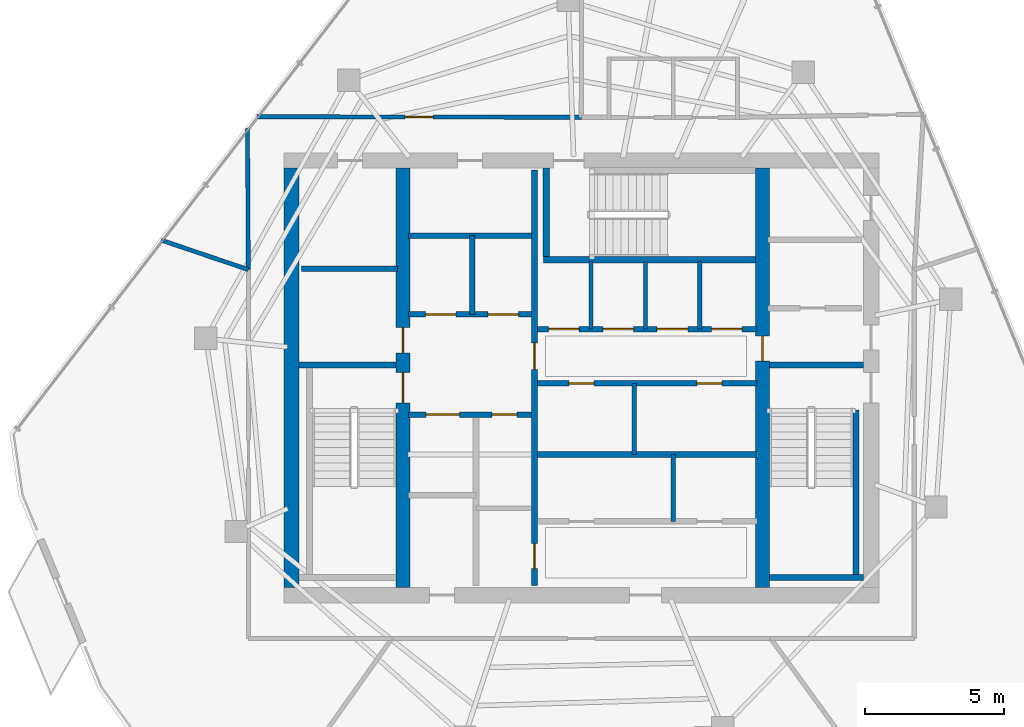
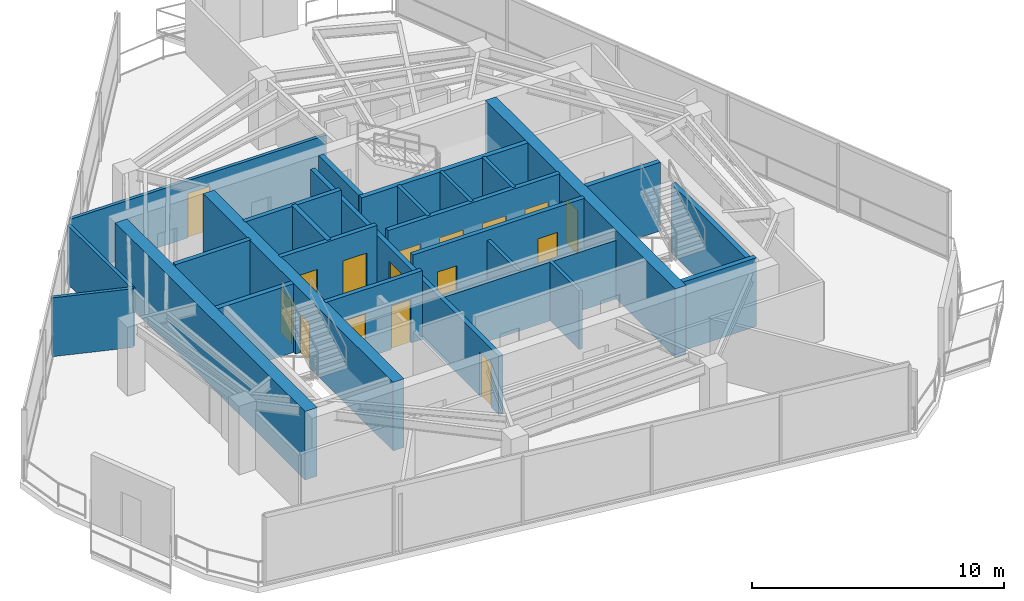
# One storey, part 15 of 19: 26 walls, 16 doors, 16 openings.
"""IFC4 building model written with IfcOpenShell, lengths in metres."""

import ifcopenshell
import ifcopenshell.guid

model = None  # the IFC model being written
_history = None  # IfcOwnerHistory: only IFC2X3 demands one
_inside = {}  # id of a spatial element -> (the spatial element, [elements in it])
_under = {}  # id of a project, library or spatial element -> (it, [spatial elements below it])
_declared = {}  # id of a project -> (the project, [libraries it declares])
_typed = {}  # id of a type object -> (the type object, [elements of that type])
_made_of = {}  # id of a material, layer set ... -> (it, [elements and type objects made of it])


def new_model(schema):
    """Start an empty IFC model of exactly this schema.

    Asked for "IFC4X3", IfcOpenShell would pick the latest addendum, in which some entities
    have other attributes; the version numbers below select the first issue.
    IFC2X3 requires an IfcOwnerHistory on every rooted entity: one is made here for all.
    """
    global model, _history
    if schema == "IFC4X3":
        model = ifcopenshell.file(schema_version=(4, 3, 0, 0))
    else:
        model = ifcopenshell.file(schema=schema)
    _inside.clear()
    _under.clear()
    _declared.clear()
    _typed.clear()
    _made_of.clear()
    _history = None
    if model.schema == "IFC2X3":
        org = make("IfcOrganization", Name="unknown")
        user = make(
            "IfcPersonAndOrganization",
            ThePerson=make("IfcPerson", FamilyName="unknown"),
            TheOrganization=org,
        )
        app = make(
            "IfcApplication",
            ApplicationDeveloper=org,
            Version="unknown",
            ApplicationFullName="unknown",
            ApplicationIdentifier="unknown",
        )
        _history = make(
            "IfcOwnerHistory",
            OwningUser=user,
            OwningApplication=app,
            ChangeAction="ADDED",
            CreationDate=0,
        )
    return model


def make(cls, **values):
    """One entity of the class cls with the attributes given. An attribute that is None is left unset."""
    return model.create_entity(
        cls, **{name: value for name, value in values.items() if value is not None}
    )


def rooted(cls, **values):
    """An entity with a GlobalId (a new one), such as an element, a storey or a relation."""
    return make(cls, GlobalId=ifcopenshell.guid.new(), OwnerHistory=_history, **values)


def si_unit(unit_type, name, prefix=None):
    """IfcSIUnit, for example si_unit("LENGTHUNIT", "METRE", prefix="MILLI")."""
    return make("IfcSIUnit", UnitType=unit_type, Prefix=prefix, Name=name)


def assignment(units):
    """IfcUnitAssignment: the units of a project."""
    return None if units is None else make("IfcUnitAssignment", Units=units)


def point(xyz):
    """IfcCartesianPoint."""
    return None if xyz is None else make("IfcCartesianPoint", Coordinates=xyz)


def direction(xyz):
    """IfcDirection."""
    return None if xyz is None else make("IfcDirection", DirectionRatios=xyz)


def frame(location, z_axis=None, x_axis=None):
    """IfcAxis2Placement3D, a coordinate frame: its origin and axes. An axis left out is left unset."""
    return make(
        "IfcAxis2Placement3D",
        Location=point(location),
        Axis=direction(z_axis),
        RefDirection=direction(x_axis),
    )


def frame_2d(location, x_axis=None):
    """IfcAxis2Placement2D, a coordinate frame in the plane: its origin and x axis."""
    return make(
        "IfcAxis2Placement2D", Location=point(location), RefDirection=direction(x_axis)
    )


def origin():
    """The frame at (0, 0, 0) with its axes left unset."""
    return frame((0.0, 0.0, 0.0))


def place(relative_to, where):
    """IfcLocalPlacement: puts the frame where relative to a parent placement (None: the world)."""
    return make(
        "IfcLocalPlacement", PlacementRelTo=relative_to, RelativePlacement=where
    )


def context(
    kind, dimensions, precision=None, world=None, true_north=None, identifier=None
):
    """IfcGeometricRepresentationContext, for example the 3D "Model" context."""
    return make(
        "IfcGeometricRepresentationContext",
        ContextIdentifier=identifier,
        ContextType=kind,
        CoordinateSpaceDimension=dimensions,
        Precision=precision,
        WorldCoordinateSystem=world,
        TrueNorth=true_north,
    )


def subcontext(parent, identifier, kind, view, scale=None):
    """IfcGeometricRepresentationSubContext, for example "Body" below "Model"."""
    return make(
        "IfcGeometricRepresentationSubContext",
        ContextIdentifier=identifier,
        ContextType=kind,
        ParentContext=parent,
        TargetScale=scale,
        TargetView=view,
    )


def project(units=None, contexts=None):
    """IfcProject with its units and contexts."""
    return rooted(
        "IfcProject",
        Name="project",
        RepresentationContexts=contexts,
        UnitsInContext=assignment(units),
    )


def spatial(cls, under=None, at=None, **own):
    """A site, building, storey or space (cls), placed at a placement, below another one or the project."""
    s = rooted(cls, ObjectPlacement=at, **own)
    if under is not None:
        _under.setdefault(under.id(), (under, []))[1].append(s)
    return s


def profile(cls, at=None, kind="AREA", **sizes):
    """A parametric profile (cls). Its sizes go by their IFC names, for example OverallWidth=200.0."""
    return make(cls, ProfileType=kind, Position=at, **sizes)


def rectangle(**sizes):
    """IfcRectangleProfileDef."""
    return profile("IfcRectangleProfileDef", **sizes)


def extrude(swept, where, along, depth):
    """IfcExtrudedAreaSolid: the profile swept, set in the frame where, extruded along a direction by depth."""
    return make(
        "IfcExtrudedAreaSolid",
        SweptArea=swept,
        Position=where,
        ExtrudedDirection=direction(along),
        Depth=depth,
    )


def shape(context_of_items, identifier, shape_type, items):
    """IfcShapeRepresentation: the items that make up one representation, for example the "Body"."""
    return make(
        "IfcShapeRepresentation",
        ContextOfItems=context_of_items,
        RepresentationIdentifier=identifier,
        RepresentationType=shape_type,
        Items=items,
    )


def material(Name=None, Category=None):
    """IfcMaterial."""
    return make("IfcMaterial", Name=Name, Category=Category)


def layer(
    of_material, thickness, ventilated=None, Name=None, Category=None, Priority=None
):
    """IfcMaterialLayer: one layer of a wall or slab, of a material (None: an air gap)."""
    return make(
        "IfcMaterialLayer",
        Material=of_material,
        LayerThickness=thickness,
        IsVentilated=ventilated,
        Name=Name,
        Category=Category,
        Priority=Priority,
    )


def layer_set(layers, Name=None):
    """IfcMaterialLayerSet."""
    return make("IfcMaterialLayerSet", MaterialLayers=layers, LayerSetName=Name)


def made_of(thing, what):
    """Note that an element or type object is made of a material, layer set ...; save() writes the relation."""
    if what is not None:
        _made_of.setdefault(what.id(), (what, []))[1].append(thing)
    return thing


def type_object(cls, material=None, **own):
    """A type object (cls), such as IfcWallType, which elements share."""
    return made_of(rooted(cls, **own), material)


def element(
    cls,
    number,
    at=None,
    inside=None,
    cuts=None,
    type_object=None,
    material=None,
    context=None,
    identifier="Body",
    shape_type=None,
    held_by="IfcProductDefinitionShape",
    body=None,
    shapes=None,
    **own,
):
    """One element of the class cls, such as IfcWall. Its Tag is "e" and its number.

    at: its placement. inside: the storey or other place that contains it. cuts: it is an
    opening in that element (IfcRelVoidsElement). A single representation is given by context,
    identifier, shape_type and body (its items); several are given by shapes. held_by: the class
    of the entity that holds the representations. save() writes the other relations.
    """
    e = rooted(cls, Tag="e%d" % number, ObjectPlacement=at, **own)
    if body is not None:
        shapes = [shape(context, identifier, shape_type, body)]
    if shapes is not None:
        e.Representation = make(held_by, Representations=shapes)
    if inside is not None:
        _inside.setdefault(inside.id(), (inside, []))[1].append(e)
    if cuts is not None:
        rooted(
            "IfcRelVoidsElement", RelatingBuildingElement=cuts, RelatedOpeningElement=e
        )
    if type_object is not None:
        _typed.setdefault(type_object.id(), (type_object, []))[1].append(e)
    return made_of(e, material)


def fill(opening, filler):
    """IfcRelFillsElement: the door or window that sits in an opening."""
    return rooted(
        "IfcRelFillsElement",
        RelatingOpeningElement=opening,
        RelatedBuildingElement=filler,
    )


def aggregate(whole, parts):
    """IfcRelAggregates: a whole, such as a stair, and the parts it consists of."""
    return rooted("IfcRelAggregates", RelatingObject=whole, RelatedObjects=parts)


def save(model, path):
    """Write the relations noted so far, then the file.

    IfcRelAggregates (storeys below a building ...), IfcRelContainedInSpatialStructure (elements
    in a storey), IfcRelDefinesByType, IfcRelAssociatesMaterial and IfcRelDeclares: one each for
    every whole, place, type object, material and project.
    """
    for whole, parts in _under.values():
        aggregate(whole, parts)
    for where, things in _inside.values():
        rooted(
            "IfcRelContainedInSpatialStructure",
            RelatedElements=things,
            RelatingStructure=where,
        )
    for kind, things in _typed.values():
        rooted("IfcRelDefinesByType", RelatedObjects=things, RelatingType=kind)
    for what, things in _made_of.values():
        rooted("IfcRelAssociatesMaterial", RelatedObjects=things, RelatingMaterial=what)
    for by, libraries in _declared.values():
        rooted("IfcRelDeclares", RelatingContext=by, RelatedDefinitions=libraries)
    model.write(path)


model = new_model("IFC4")

# Units and contexts
model_context = context("Model", 3, precision=1e-05, world=origin(), true_north=direction((0.0, 1.0)))
body_context = subcontext(model_context, "Body", "Model", "MODEL_VIEW")
ifc_project = project(units=[si_unit("LENGTHUNIT", "METRE"), si_unit("AREAUNIT", "SQUARE_METRE"), si_unit("VOLUMEUNIT", "CUBIC_METRE"), si_unit("PLANEANGLEUNIT", "RADIAN"), si_unit("MASSUNIT", "GRAM", prefix="KILO")], contexts=[model_context])

# Site, building, storey
site_placement = place(None, origin())
site = spatial("IfcSite", under=ifc_project, at=site_placement, CompositionType="ELEMENT")
building_placement = place(site_placement, origin())
building = spatial("IfcBuilding", under=site, at=building_placement, Name="Qarnah Convention Tower", CompositionType="ELEMENT")
storey_placement = place(building_placement, frame((0.0, 0.0, 264.300048828125)))
storey = spatial("IfcBuildingStorey", under=building, at=storey_placement, Name="L71", CompositionType="ELEMENT", Elevation=264.300048828125)

# Wall
ifc_material_1 = material(Name="Concrete C60/75", Category="concrete")
ifc_layer_1 = layer(ifc_material_1, 0.550048828125)
ifc_layer_set_1 = layer_set([ifc_layer_1], Name="Concrete C60/75")
wall_type_1 = type_object("IfcWallType", Name="WL-CORE-550", PredefinedType="SHEAR", material=ifc_layer_set_1)
wall_1_placement = place(storey_placement, frame((26.800048828125, 18.875, 0.0), z_axis=(0.0, 0.0, 1.0), x_axis=(0.0, 1.0, 0.0)))
element("IfcWall", 1, at=wall_1_placement, inside=storey, type_object=wall_type_1, Name="L71 core west shear wall", PredefinedType="SHEAR", context=body_context, shape_type="SweptSolid", body=[
    extrude(rectangle(XDim=15.050048828125, YDim=0.550048828125, at=frame_2d((7.52490234375, 0.0))), origin(), (0.0, 0.0, 1.0), 3.320068359375),
])

# Wall, openings, doors
ifc_layer_2 = layer(ifc_material_1, 0.5)
ifc_layer_set_2 = layer_set([ifc_layer_2], Name="Concrete C60/75")
wall_type_2 = type_object("IfcWallType", Name="WL-CORE-INT-400", PredefinedType="SHEAR", material=ifc_layer_set_2)
wall_2_placement = place(storey_placement, frame((30.800048828125, 18.875, 0.0), z_axis=(0.0, 0.0, 1.0), x_axis=(0.0, 1.0, 0.0)))
wall_2 = element("IfcWall", 2, at=wall_2_placement, inside=storey, type_object=wall_type_2, Name="L71 core west spine shear wall", PredefinedType="SHEAR", context=body_context, shape_type="SweptSolid", body=[
    extrude(rectangle(XDim=15.050048828125, YDim=0.5, at=frame_2d((7.52490234375, 0.0))), origin(), (0.0, 0.0, 1.0), 3.320068359375),
])
opening_1_placement = place(wall_2_placement, frame((6.625, 0.0, 0.0)))
opening_1 = element("IfcOpeningElement", 3, at=opening_1_placement, cuts=wall_2, Name="Opening D-7101", PredefinedType="OPENING", context=body_context, shape_type="SweptSolid", body=[
    extrude(rectangle(XDim=1.10009765625, YDim=2.14990234375, at=frame_2d((0.550048828125, 1.074951171875))), frame((0.0, 0.260009765625, 0.0), z_axis=(0.0, -1.0, 0.0), x_axis=(1.0, 0.0, 0.0)), (0.0, 0.0, 1.0), 0.52001953125),
])
opening_2_placement = place(wall_2_placement, frame((8.425048828125, 0.0, 0.0)))
opening_2 = element("IfcOpeningElement", 4, at=opening_2_placement, cuts=wall_2, Name="Opening D-7108", PredefinedType="OPENING", context=body_context, shape_type="SweptSolid", body=[
    extrude(rectangle(XDim=0.89990234375, YDim=2.10009765625, at=frame_2d((0.449951171875, 1.050048828125))), frame((0.0, 0.260009765625, 0.0), z_axis=(0.0, -1.0, 0.0), x_axis=(1.0, 0.0, 0.0)), (0.0, 0.0, 1.0), 0.52001953125),
])
ifc_material_2 = material(Name="Structural steel S355JR", Category="steel")
door_type_1 = type_object("IfcDoorType", Name="DT-RISER-900", OperationType="NOTDEFINED", PredefinedType="DOOR", material=ifc_material_2)
door_1_placement = place(opening_2_placement, origin())
door_1 = element("IfcDoor", 5, at=door_1_placement, inside=storey, type_object=door_type_1, Name="Door D-7108", OperationType="SINGLE_SWING_RIGHT", OverallHeight=2.10009765625, OverallWidth=0.89990234375, PredefinedType="DOOR", context=body_context, shape_type="SweptSolid", body=[
    extrude(rectangle(XDim=0.89990234375, YDim=2.10009765625, at=frame_2d((0.449951171875, 1.050048828125))), frame((0.0, 0.02490234375, 0.0), z_axis=(0.0, -1.0, 0.0), x_axis=(1.0, 0.0, 0.0)), (0.0, 0.0, 1.0), 0.050048828125),
])
fill(opening_2, door_1)
door_type_2 = type_object("IfcDoorType", Name="DT-STAIR-1100", OperationType="NOTDEFINED", PredefinedType="DOOR", material=ifc_material_2)
door_2_placement = place(opening_1_placement, origin())
door_2 = element("IfcDoor", 6, at=door_2_placement, inside=storey, type_object=door_type_2, Name="Door D-7101", OperationType="SINGLE_SWING_LEFT", OverallHeight=2.14990234375, OverallWidth=1.10009765625, PredefinedType="DOOR", context=body_context, shape_type="SweptSolid", body=[
    extrude(rectangle(XDim=1.10009765625, YDim=2.14990234375, at=frame_2d((0.550048828125, 1.074951171875))), frame((0.0, 0.02490234375, 0.0), z_axis=(0.0, -1.0, 0.0), x_axis=(1.0, 0.0, 0.0)), (0.0, 0.0, 1.0), 0.050048828125),
])
fill(opening_1, door_2)

# Wall, opening, door
wall_3_placement = place(storey_placement, frame((43.699951171875, 18.875, 0.0), z_axis=(0.0, 0.0, 1.0), x_axis=(0.0, 1.0, 0.0)))
wall_3 = element("IfcWall", 7, at=wall_3_placement, inside=storey, type_object=wall_type_2, Name="L71 core east spine shear wall", PredefinedType="SHEAR", context=body_context, shape_type="SweptSolid", body=[
    extrude(rectangle(XDim=15.050048828125, YDim=0.5, at=frame_2d((7.52490234375, 0.0))), origin(), (0.0, 0.0, 1.0), 3.320068359375),
])
opening_3_placement = place(wall_3_placement, frame((8.125, 0.0, 0.0)))
opening_3 = element("IfcOpeningElement", 8, at=opening_3_placement, cuts=wall_3, Name="Opening D-7105", PredefinedType="OPENING", context=body_context, shape_type="SweptSolid", body=[
    extrude(rectangle(XDim=0.89990234375, YDim=2.10009765625, at=frame_2d((0.449951171875, 1.050048828125))), frame((0.0, 0.260009765625, 0.0), z_axis=(0.0, -1.0, 0.0), x_axis=(1.0, 0.0, 0.0)), (0.0, 0.0, 1.0), 0.52001953125),
])
door_3_placement = place(opening_3_placement, origin())
door_3 = element("IfcDoor", 9, at=door_3_placement, inside=storey, type_object=door_type_1, Name="Door D-7105", OperationType="SINGLE_SWING_LEFT", OverallHeight=2.10009765625, OverallWidth=0.89990234375, PredefinedType="DOOR", context=body_context, shape_type="SweptSolid", body=[
    extrude(rectangle(XDim=0.89990234375, YDim=2.10009765625, at=frame_2d((0.449951171875, 1.050048828125))), frame((0.0, 0.02490234375, 0.0), z_axis=(0.0, -1.0, 0.0), x_axis=(1.0, 0.0, 0.0)), (0.0, 0.0, 1.0), 0.050048828125),
])
fill(opening_3, door_3)

# Wall
ifc_material_3 = material(Name="Concrete C45/55", Category="concrete")
ifc_layer_3 = layer(ifc_material_3, 0.199951171875)
ifc_layer_set_3 = layer_set([ifc_layer_3], Name="Concrete C45/55")
wall_type_3 = type_object("IfcWallType", Name="WL-CORE-PART-200", PredefinedType="SOLIDWALL", material=ifc_layer_set_3)
wall_4_placement = place(storey_placement, frame((27.14990234375, 30.320068359375, 0.0), z_axis=(0.0, 0.0, 1.0), x_axis=(1.0, 0.0, 0.0)))
element("IfcWall", 10, at=wall_4_placement, inside=storey, type_object=wall_type_3, Name="L71 interior wall IW-L71-ELRN", PredefinedType="SOLIDWALL", context=body_context, shape_type="SweptSolid", body=[
    extrude(rectangle(XDim=3.4501953125, YDim=0.199951171875, at=frame_2d((1.72509765625, 0.0))), origin(), (0.0, 0.0, 1.0), 3.320068359375),
])

# Wall, openings, doors
wall_5_placement = place(storey_placement, frame((35.52001953125, 18.949951171875, 0.0), z_axis=(0.0, 0.0, 1.0), x_axis=(0.0, 1.0, 0.0)))
wall_5 = element("IfcWall", 11, at=wall_5_placement, inside=storey, type_object=wall_type_3, Name="L71 interior wall IW-L71-CSP", PredefinedType="SOLIDWALL", context=body_context, shape_type="SweptSolid", body=[
    extrude(rectangle(XDim=14.900146484375, YDim=0.199951171875, at=frame_2d((7.4501953125, 0.0))), origin(), (0.0, 0.0, 1.0), 2.841064453125),
])
opening_4_placement = place(wall_5_placement, frame((7.7548828125, 0.0, 0.0)))
opening_4 = element("IfcOpeningElement", 12, at=opening_4_placement, cuts=wall_5, Name="Opening D-7104", PredefinedType="OPENING", context=body_context, shape_type="SweptSolid", body=[
    extrude(rectangle(XDim=0.949951171875, YDim=2.14990234375, at=frame_2d((0.47509765625, 1.074951171875))), frame((0.0, 0.10986328125, 0.0), z_axis=(0.0, -1.0, 0.0), x_axis=(1.0, 0.0, 0.0)), (0.0, 0.0, 1.0), 0.219970703125),
])
opening_5_placement = place(wall_5_placement, frame((0.60009765625, 0.0, 0.0)))
opening_5 = element("IfcOpeningElement", 13, at=opening_5_placement, cuts=wall_5, Name="Opening D-7114", PredefinedType="OPENING", context=body_context, shape_type="SweptSolid", body=[
    extrude(rectangle(XDim=0.89990234375, YDim=2.10009765625, at=frame_2d((0.449951171875, 1.050048828125))), frame((0.0, 0.10986328125, 0.0), z_axis=(0.0, -1.0, 0.0), x_axis=(1.0, 0.0, 0.0)), (0.0, 0.0, 1.0), 0.219970703125),
])
ifc_material_4 = material(Name="Oak timber veneer", Category="wood")
door_type_3 = type_object("IfcDoorType", Name="DT-HOTEL-950", OperationType="NOTDEFINED", PredefinedType="DOOR", material=ifc_material_4)
door_4_placement = place(opening_4_placement, origin())
door_4 = element("IfcDoor", 14, at=door_4_placement, inside=storey, type_object=door_type_3, Name="Door D-7104", OperationType="SINGLE_SWING_RIGHT", OverallHeight=2.14990234375, OverallWidth=0.949951171875, PredefinedType="DOOR", context=body_context, shape_type="SweptSolid", body=[
    extrude(rectangle(XDim=0.949951171875, YDim=2.14990234375, at=frame_2d((0.47509765625, 1.074951171875))), frame((0.0, 0.02490234375, 0.0), z_axis=(0.0, -1.0, 0.0), x_axis=(1.0, 0.0, 0.0)), (0.0, 0.0, 1.0), 0.050048828125),
])
fill(opening_4, door_4)
door_5_placement = place(opening_5_placement, origin())
door_5 = element("IfcDoor", 15, at=door_5_placement, inside=storey, type_object=door_type_1, Name="Door D-7114", OperationType="SINGLE_SWING_RIGHT", OverallHeight=2.10009765625, OverallWidth=0.89990234375, PredefinedType="DOOR", context=body_context, shape_type="SweptSolid", body=[
    extrude(rectangle(XDim=0.89990234375, YDim=2.10009765625, at=frame_2d((0.449951171875, 1.050048828125))), frame((0.0, 0.02490234375, 0.0), z_axis=(0.0, -1.0, 0.0), x_axis=(1.0, 0.0, 0.0)), (0.0, 0.0, 1.0), 0.050048828125),
])
fill(opening_5, door_5)

wall_6_placement = place(storey_placement, frame((31.0, 28.679931640625, 0.0), z_axis=(0.0, 0.0, 1.0), x_axis=(1.0, 0.0, 0.0)))
wall_6 = element("IfcWall", 16, at=wall_6_placement, inside=storey, type_object=wall_type_3, Name="L71 interior wall IW-L71-FFLS", PredefinedType="SOLIDWALL", context=body_context, shape_type="SweptSolid", body=[
    extrude(rectangle(XDim=4.419921875, YDim=0.199951171875, at=frame_2d((2.2099609375, 0.0))), origin(), (0.0, 0.0, 1.0), 3.320068359375),
])
opening_6_placement = place(wall_6_placement, frame((0.60009765625, 0.0, 0.0)))
opening_6 = element("IfcOpeningElement", 17, at=opening_6_placement, cuts=wall_6, Name="Opening LD-7101", PredefinedType="OPENING", context=body_context, shape_type="SweptSolid", body=[
    extrude(rectangle(XDim=1.10009765625, YDim=2.14990234375, at=frame_2d((0.550048828125, 1.074951171875))), frame((0.0, 0.10986328125, 0.0), z_axis=(0.0, -1.0, 0.0), x_axis=(1.0, 0.0, 0.0)), (0.0, 0.0, 1.0), 0.219970703125),
])
opening_7_placement = place(wall_6_placement, frame((2.85009765625, 0.0, 0.0)))
opening_7 = element("IfcOpeningElement", 18, at=opening_7_placement, cuts=wall_6, Name="Opening LD-7102", PredefinedType="OPENING", context=body_context, shape_type="SweptSolid", body=[
    extrude(rectangle(XDim=1.10009765625, YDim=2.14990234375, at=frame_2d((0.550048828125, 1.074951171875))), frame((0.0, 0.10986328125, 0.0), z_axis=(0.0, -1.0, 0.0), x_axis=(1.0, 0.0, 0.0)), (0.0, 0.0, 1.0), 0.219970703125),
])
door_type_4 = type_object("IfcDoorType", Name="DT-LIFT-1100", OperationType="SLIDING_TO_LEFT", PredefinedType="DOOR", material=ifc_material_2)
door_6_placement = place(opening_6_placement, origin())
door_6 = element("IfcDoor", 19, at=door_6_placement, inside=storey, type_object=door_type_4, Name="Door LD-7101", OperationType="SLIDING_TO_LEFT", OverallHeight=2.14990234375, OverallWidth=1.10009765625, PredefinedType="DOOR", context=body_context, shape_type="SweptSolid", body=[
    extrude(rectangle(XDim=1.10009765625, YDim=2.14990234375, at=frame_2d((0.550048828125, 1.074951171875))), frame((0.0, 0.02490234375, 0.0), z_axis=(0.0, -1.0, 0.0), x_axis=(1.0, 0.0, 0.0)), (0.0, 0.0, 1.0), 0.050048828125),
])
fill(opening_6, door_6)
door_7_placement = place(opening_7_placement, origin())
door_7 = element("IfcDoor", 20, at=door_7_placement, inside=storey, type_object=door_type_4, Name="Door LD-7102", OperationType="SLIDING_TO_LEFT", OverallHeight=2.14990234375, OverallWidth=1.10009765625, PredefinedType="DOOR", context=body_context, shape_type="SweptSolid", body=[
    extrude(rectangle(XDim=1.10009765625, YDim=2.14990234375, at=frame_2d((0.550048828125, 1.074951171875))), frame((0.0, 0.02490234375, 0.0), z_axis=(0.0, -1.0, 0.0), x_axis=(1.0, 0.0, 0.0)), (0.0, 0.0, 1.0), 0.050048828125),
])
fill(opening_7, door_7)

# Walls
wall_7_placement = place(storey_placement, frame((31.0, 31.5, 0.0), z_axis=(0.0, 0.0, 1.0), x_axis=(1.0, 0.0, 0.0)))
element("IfcWall", 21, at=wall_7_placement, inside=storey, type_object=wall_type_3, Name="L71 interior wall IW-L71-FFLN", PredefinedType="SOLIDWALL", context=body_context, shape_type="SweptSolid", body=[
    extrude(rectangle(XDim=4.419921875, YDim=0.199951171875, at=frame_2d((2.2099609375, 0.0))), origin(), (0.0, 0.0, 1.0), 3.320068359375),
])
wall_8_placement = place(storey_placement, frame((33.280029296875, 28.679931640625, 0.0), z_axis=(0.0, 0.0, 1.0), x_axis=(0.0, 1.0, 0.0)))
element("IfcWall", 22, at=wall_8_placement, inside=storey, type_object=wall_type_3, Name="L71 interior wall IW-L71-FFLM", PredefinedType="SOLIDWALL", context=body_context, shape_type="SweptSolid", body=[
    extrude(rectangle(XDim=2.820068359375, YDim=0.199951171875, at=frame_2d((1.41015625, 0.0))), origin(), (0.0, 0.0, 1.0), 3.320068359375),
])

# Wall, openings, doors
wall_9_placement = place(storey_placement, frame((31.0, 25.080078125, 0.0), z_axis=(0.0, 0.0, 1.0), x_axis=(1.0, 0.0, 0.0)))
wall_9 = element("IfcWall", 23, at=wall_9_placement, inside=storey, type_object=wall_type_3, Name="L71 interior wall IW-L71-FFLBS", PredefinedType="SOLIDWALL", context=body_context, shape_type="SweptSolid", body=[
    extrude(rectangle(XDim=4.419921875, YDim=0.199951171875, at=frame_2d((2.2099609375, 0.0))), origin(), (0.0, 0.0, 1.0), 3.320068359375),
])
opening_8_placement = place(wall_9_placement, frame((3.0, 0.0, 0.0)))
opening_8 = element("IfcOpeningElement", 24, at=opening_8_placement, cuts=wall_9, Name="Opening D-7115", PredefinedType="OPENING", context=body_context, shape_type="SweptSolid", body=[
    extrude(rectangle(XDim=0.89990234375, YDim=2.10009765625, at=frame_2d((0.449951171875, 1.050048828125))), frame((0.0, 0.10986328125, 0.0), z_axis=(0.0, -1.0, 0.0), x_axis=(1.0, 0.0, 0.0)), (0.0, 0.0, 1.0), 0.219970703125),
])
opening_9_placement = place(wall_9_placement, frame((0.6201171875, 0.0, 0.0)))
opening_9 = element("IfcOpeningElement", 25, at=opening_9_placement, cuts=wall_9, Name="Opening LD-7103", PredefinedType="OPENING", context=body_context, shape_type="SweptSolid", body=[
    extrude(rectangle(XDim=1.199951171875, YDim=2.14990234375, at=frame_2d((0.60009765625, 1.074951171875))), frame((0.0, 0.10986328125, 0.0), z_axis=(0.0, -1.0, 0.0), x_axis=(1.0, 0.0, 0.0)), (0.0, 0.0, 1.0), 0.219970703125),
])
door_type_5 = type_object("IfcDoorType", Name="DT-LIFT-1200", OperationType="SLIDING_TO_LEFT", PredefinedType="DOOR", material=ifc_material_2)
door_8_placement = place(opening_9_placement, origin())
door_8 = element("IfcDoor", 26, at=door_8_placement, inside=storey, type_object=door_type_5, Name="Door LD-7103", OperationType="SLIDING_TO_LEFT", OverallHeight=2.14990234375, OverallWidth=1.199951171875, PredefinedType="DOOR", context=body_context, shape_type="SweptSolid", body=[
    extrude(rectangle(XDim=1.199951171875, YDim=2.14990234375, at=frame_2d((0.60009765625, 1.074951171875))), frame((0.0, 0.02490234375, 0.0), z_axis=(0.0, -1.0, 0.0), x_axis=(1.0, 0.0, 0.0)), (0.0, 0.0, 1.0), 0.050048828125),
])
fill(opening_9, door_8)
door_9_placement = place(opening_8_placement, origin())
door_9 = element("IfcDoor", 27, at=door_9_placement, inside=storey, type_object=door_type_1, Name="Door D-7115", OperationType="SINGLE_SWING_LEFT", OverallHeight=2.10009765625, OverallWidth=0.89990234375, PredefinedType="DOOR", context=body_context, shape_type="SweptSolid", body=[
    extrude(rectangle(XDim=0.89990234375, YDim=2.10009765625, at=frame_2d((0.449951171875, 1.050048828125))), frame((0.0, 0.02490234375, 0.0), z_axis=(0.0, -1.0, 0.0), x_axis=(1.0, 0.0, 0.0)), (0.0, 0.0, 1.0), 0.050048828125),
])
fill(opening_8, door_9)

wall_10_placement = place(storey_placement, frame((35.6201171875, 28.14990234375, 0.0), z_axis=(0.0, 0.0, 1.0), x_axis=(1.0, 0.0, 0.0)))
wall_10 = element("IfcWall", 28, at=wall_10_placement, inside=storey, type_object=wall_type_3, Name="L71 interior wall IW-L71-PHS", PredefinedType="SOLIDWALL", context=body_context, shape_type="SweptSolid", body=[
    extrude(rectangle(XDim=7.8798828125, YDim=0.199951171875, at=frame_2d((3.93994140625, 0.0))), origin(), (0.0, 0.0, 1.0), 3.320068359375),
])
opening_10_placement = place(wall_10_placement, frame((0.405029296875, 0.0, 0.0)))
opening_10 = element("IfcOpeningElement", 29, at=opening_10_placement, cuts=wall_10, Name="Opening LD-7104", PredefinedType="OPENING", context=body_context, shape_type="SweptSolid", body=[
    extrude(rectangle(XDim=1.10009765625, YDim=2.14990234375, at=frame_2d((0.550048828125, 1.074951171875))), frame((0.0, 0.10986328125, 0.0), z_axis=(0.0, -1.0, 0.0), x_axis=(1.0, 0.0, 0.0)), (0.0, 0.0, 1.0), 0.219970703125),
])
opening_11_placement = place(wall_10_placement, frame((2.35498046875, 0.0, 0.0)))
opening_11 = element("IfcOpeningElement", 30, at=opening_11_placement, cuts=wall_10, Name="Opening LD-7105", PredefinedType="OPENING", context=body_context, shape_type="SweptSolid", body=[
    extrude(rectangle(XDim=1.10009765625, YDim=2.14990234375, at=frame_2d((0.550048828125, 1.074951171875))), frame((0.0, 0.10986328125, 0.0), z_axis=(0.0, -1.0, 0.0), x_axis=(1.0, 0.0, 0.0)), (0.0, 0.0, 1.0), 0.219970703125),
])
opening_12_placement = place(wall_10_placement, frame((4.304931640625, 0.0, 0.0)))
opening_12 = element("IfcOpeningElement", 31, at=opening_12_placement, cuts=wall_10, Name="Opening LD-7106", PredefinedType="OPENING", context=body_context, shape_type="SweptSolid", body=[
    extrude(rectangle(XDim=1.10009765625, YDim=2.14990234375, at=frame_2d((0.550048828125, 1.074951171875))), frame((0.0, 0.10986328125, 0.0), z_axis=(0.0, -1.0, 0.0), x_axis=(1.0, 0.0, 0.0)), (0.0, 0.0, 1.0), 0.219970703125),
])
opening_13_placement = place(wall_10_placement, frame((6.2548828125, 0.0, 0.0)))
opening_13 = element("IfcOpeningElement", 32, at=opening_13_placement, cuts=wall_10, Name="Opening LD-7107", PredefinedType="OPENING", context=body_context, shape_type="SweptSolid", body=[
    extrude(rectangle(XDim=1.10009765625, YDim=2.14990234375, at=frame_2d((0.550048828125, 1.074951171875))), frame((0.0, 0.10986328125, 0.0), z_axis=(0.0, -1.0, 0.0), x_axis=(1.0, 0.0, 0.0)), (0.0, 0.0, 1.0), 0.219970703125),
])
door_10_placement = place(opening_10_placement, origin())
door_10 = element("IfcDoor", 33, at=door_10_placement, inside=storey, type_object=door_type_4, Name="Door LD-7104", OperationType="SLIDING_TO_LEFT", OverallHeight=2.14990234375, OverallWidth=1.10009765625, PredefinedType="DOOR", context=body_context, shape_type="SweptSolid", body=[
    extrude(rectangle(XDim=1.10009765625, YDim=2.14990234375, at=frame_2d((0.550048828125, 1.074951171875))), frame((0.0, 0.02490234375, 0.0), z_axis=(0.0, -1.0, 0.0), x_axis=(1.0, 0.0, 0.0)), (0.0, 0.0, 1.0), 0.050048828125),
])
fill(opening_10, door_10)
door_11_placement = place(opening_11_placement, origin())
door_11 = element("IfcDoor", 34, at=door_11_placement, inside=storey, type_object=door_type_4, Name="Door LD-7105", OperationType="SLIDING_TO_LEFT", OverallHeight=2.14990234375, OverallWidth=1.10009765625, PredefinedType="DOOR", context=body_context, shape_type="SweptSolid", body=[
    extrude(rectangle(XDim=1.10009765625, YDim=2.14990234375, at=frame_2d((0.550048828125, 1.074951171875))), frame((0.0, 0.02490234375, 0.0), z_axis=(0.0, -1.0, 0.0), x_axis=(1.0, 0.0, 0.0)), (0.0, 0.0, 1.0), 0.050048828125),
])
fill(opening_11, door_11)
door_12_placement = place(opening_12_placement, origin())
door_12 = element("IfcDoor", 35, at=door_12_placement, inside=storey, type_object=door_type_4, Name="Door LD-7106", OperationType="SLIDING_TO_LEFT", OverallHeight=2.14990234375, OverallWidth=1.10009765625, PredefinedType="DOOR", context=body_context, shape_type="SweptSolid", body=[
    extrude(rectangle(XDim=1.10009765625, YDim=2.14990234375, at=frame_2d((0.550048828125, 1.074951171875))), frame((0.0, 0.02490234375, 0.0), z_axis=(0.0, -1.0, 0.0), x_axis=(1.0, 0.0, 0.0)), (0.0, 0.0, 1.0), 0.050048828125),
])
fill(opening_12, door_12)
door_13_placement = place(opening_13_placement, origin())
door_13 = element("IfcDoor", 36, at=door_13_placement, inside=storey, type_object=door_type_4, Name="Door LD-7107", OperationType="SLIDING_TO_LEFT", OverallHeight=2.14990234375, OverallWidth=1.10009765625, PredefinedType="DOOR", context=body_context, shape_type="SweptSolid", body=[
    extrude(rectangle(XDim=1.10009765625, YDim=2.14990234375, at=frame_2d((0.550048828125, 1.074951171875))), frame((0.0, 0.02490234375, 0.0), z_axis=(0.0, -1.0, 0.0), x_axis=(1.0, 0.0, 0.0)), (0.0, 0.0, 1.0), 0.050048828125),
])
fill(opening_13, door_13)

wall_11_placement = place(storey_placement, frame((35.6201171875, 26.199951171875, 0.0), z_axis=(0.0, 0.0, 1.0), x_axis=(1.0, 0.0, 0.0)))
wall_11 = element("IfcWall", 37, at=wall_11_placement, inside=storey, type_object=wall_type_3, Name="L71 interior wall IW-L71-PMN", PredefinedType="SOLIDWALL", context=body_context, shape_type="SweptSolid", body=[
    extrude(rectangle(XDim=7.8798828125, YDim=0.199951171875, at=frame_2d((3.93994140625, 0.0))), origin(), (0.0, 0.0, 1.0), 3.320068359375),
])
opening_14_placement = place(wall_11_placement, frame((1.1298828125, 0.0, 0.0)))
opening_14 = element("IfcOpeningElement", 38, at=opening_14_placement, cuts=wall_11, Name="Opening D-7118", PredefinedType="OPENING", context=body_context, shape_type="SweptSolid", body=[
    extrude(rectangle(XDim=0.89990234375, YDim=2.10009765625, at=frame_2d((0.449951171875, 1.050048828125))), frame((0.0, 0.10986328125, 0.0), z_axis=(0.0, -1.0, 0.0), x_axis=(1.0, 0.0, 0.0)), (0.0, 0.0, 1.0), 0.219970703125),
])
opening_15_placement = place(wall_11_placement, frame((5.72998046875, 0.0, 0.0)))
opening_15 = element("IfcOpeningElement", 39, at=opening_15_placement, cuts=wall_11, Name="Opening D-7119", PredefinedType="OPENING", context=body_context, shape_type="SweptSolid", body=[
    extrude(rectangle(XDim=0.89990234375, YDim=2.10009765625, at=frame_2d((0.449951171875, 1.050048828125))), frame((0.0, 0.10986328125, 0.0), z_axis=(0.0, -1.0, 0.0), x_axis=(1.0, 0.0, 0.0)), (0.0, 0.0, 1.0), 0.219970703125),
])
door_14_placement = place(opening_14_placement, origin())
door_14 = element("IfcDoor", 40, at=door_14_placement, inside=storey, type_object=door_type_1, Name="Door D-7118", OperationType="SINGLE_SWING_RIGHT", OverallHeight=2.10009765625, OverallWidth=0.89990234375, PredefinedType="DOOR", context=body_context, shape_type="SweptSolid", body=[
    extrude(rectangle(XDim=0.89990234375, YDim=2.10009765625, at=frame_2d((0.449951171875, 1.050048828125))), frame((0.0, 0.02490234375, 0.0), z_axis=(0.0, -1.0, 0.0), x_axis=(1.0, 0.0, 0.0)), (0.0, 0.0, 1.0), 0.050048828125),
])
fill(opening_14, door_14)
door_15_placement = place(opening_15_placement, origin())
door_15 = element("IfcDoor", 41, at=door_15_placement, inside=storey, type_object=door_type_1, Name="Door D-7119", OperationType="SINGLE_SWING_LEFT", OverallHeight=2.10009765625, OverallWidth=0.89990234375, PredefinedType="DOOR", context=body_context, shape_type="SweptSolid", body=[
    extrude(rectangle(XDim=0.89990234375, YDim=2.10009765625, at=frame_2d((0.449951171875, 1.050048828125))), frame((0.0, 0.02490234375, 0.0), z_axis=(0.0, -1.0, 0.0), x_axis=(1.0, 0.0, 0.0)), (0.0, 0.0, 1.0), 0.050048828125),
])
fill(opening_15, door_15)

# Walls
wall_12_placement = place(storey_placement, frame((35.6201171875, 23.64990234375, 0.0), z_axis=(0.0, 0.0, 1.0), x_axis=(1.0, 0.0, 0.0)))
element("IfcWall", 42, at=wall_12_placement, inside=storey, type_object=wall_type_3, Name="L71 interior wall IW-L71-PMPL", PredefinedType="SOLIDWALL", context=body_context, shape_type="SweptSolid", body=[
    extrude(rectangle(XDim=7.8798828125, YDim=0.199951171875, at=frame_2d((3.93994140625, 0.0))), origin(), (0.0, 0.0, 1.0), 2.841064453125),
])
ifc_layer_4 = layer(ifc_material_1, 0.219970703125)
ifc_layer_set_4 = layer_set([ifc_layer_4], Name="Concrete C60/75")
wall_type_4 = type_object("IfcWallType", Name="WL-CORE-STAIR-220", PredefinedType="SHEAR", material=ifc_layer_set_4)
wall_13_placement = place(storey_placement, frame((27.074951171875, 26.860107421875, 0.0), z_axis=(0.0, 0.0, 1.0), x_axis=(1.0, 0.0, 0.0)))
element("IfcWall", 43, at=wall_13_placement, inside=storey, type_object=wall_type_4, Name="L71 stair shaft shear wall SW-L71-ST1N", PredefinedType="SHEAR", context=body_context, shape_type="SweptSolid", body=[
    extrude(rectangle(XDim=3.47509765625, YDim=0.219970703125, at=frame_2d((1.737548828125, 0.0))), origin(), (0.0, 0.0, 1.0), 3.320068359375),
])
wall_14_placement = place(storey_placement, frame((43.949951171875, 26.860107421875, 0.0), z_axis=(0.0, 0.0, 1.0), x_axis=(1.0, 0.0, 0.0)))
element("IfcWall", 44, at=wall_14_placement, inside=storey, type_object=wall_type_4, Name="L71 stair shaft shear wall SW-L71-ST2N", PredefinedType="SHEAR", context=body_context, shape_type="SweptSolid", body=[
    extrude(rectangle(XDim=3.375, YDim=0.219970703125, at=frame_2d((1.6875, 0.0))), origin(), (0.0, 0.0, 1.0), 3.320068359375),
])
wall_15_placement = place(storey_placement, frame((47.06005859375, 19.35009765625, 0.0), z_axis=(0.0, 0.0, 1.0), x_axis=(0.0, 1.0, 0.0)))
element("IfcWall", 45, at=wall_15_placement, inside=storey, type_object=wall_type_4, Name="L71 stair shaft shear wall SW-L71-ST2E", PredefinedType="SHEAR", context=body_context, shape_type="SweptSolid", body=[
    extrude(rectangle(XDim=5.89990234375, YDim=0.219970703125, at=frame_2d((2.949951171875, 0.0))), origin(), (0.0, 0.0, 1.0), 3.320068359375),
])
wall_16_placement = place(storey_placement, frame((43.949951171875, 19.239990234375, 0.0), z_axis=(0.0, 0.0, 1.0), x_axis=(1.0, 0.0, 0.0)))
element("IfcWall", 46, at=wall_16_placement, inside=storey, type_object=wall_type_4, Name="L71 stair shaft shear wall SW-L71-ST2S", PredefinedType="SHEAR", context=body_context, shape_type="SweptSolid", body=[
    extrude(rectangle(XDim=3.375, YDim=0.219970703125, at=frame_2d((1.6875, 0.0))), origin(), (0.0, 0.0, 1.0), 3.320068359375),
])
wall_17_placement = place(storey_placement, frame((35.840087890625, 30.639892578125, 0.0), z_axis=(0.0, 0.0, 1.0), x_axis=(1.0, 0.0, 0.0)))
element("IfcWall", 47, at=wall_17_placement, inside=storey, type_object=wall_type_4, Name="L71 stair shaft shear wall SW-L71-ST3S", PredefinedType="SHEAR", context=body_context, shape_type="SweptSolid", body=[
    extrude(rectangle(XDim=7.60986328125, YDim=0.219970703125, at=frame_2d((3.804931640625, 0.0))), origin(), (0.0, 0.0, 1.0), 3.320068359375),
])
wall_18_placement = place(storey_placement, frame((35.93994140625, 30.75, 0.0), z_axis=(0.0, 0.0, 1.0), x_axis=(0.0, 1.0, 0.0)))
element("IfcWall", 48, at=wall_18_placement, inside=storey, type_object=wall_type_4, Name="L71 stair shaft shear wall SW-L71-ST3W", PredefinedType="SHEAR", context=body_context, shape_type="SweptSolid", body=[
    extrude(rectangle(XDim=3.175048828125, YDim=0.219970703125, at=frame_2d((1.58740234375, 0.0))), origin(), (0.0, 0.0, 1.0), 3.320068359375),
])
ifc_material_5 = material(Name="Gypsum partition board")
ifc_layer_5 = layer(ifc_material_5, 0.14990234375)
ifc_layer_set_5 = layer_set([ifc_layer_5], Name="Gypsum partition board")
wall_type_5 = type_object("IfcWallType", Name="WL-SUITE-150", PredefinedType="PARTITIONING", material=ifc_layer_set_5)
for number, where, z_axis, x_axis, name in (
    (49, (37.550048828125, 28.14990234375, 0.0), (0.0, 0.0, 1.0), (0.0, 1.0, 0.0), "L71 interior wall IW-L71-PHD1"),
    (50, (39.5, 28.14990234375, 0.0), (0.0, 0.0, 1.0), (0.0, 1.0, 0.0), "L71 interior wall IW-L71-PHD2"),
    (51, (41.449951171875, 28.14990234375, 0.0), (0.0, 0.0, 1.0), (0.0, 1.0, 0.0), "L71 interior wall IW-L71-PHD3"),
):
    element("IfcWall", number, at=place(storey_placement, frame(where, z_axis=z_axis, x_axis=x_axis)), inside=storey, type_object=wall_type_5, Name=name, PredefinedType="PARTITIONING", context=body_context, shape_type="SweptSolid", body=[
        extrude(rectangle(XDim=2.43017578125, YDim=0.14990234375, at=frame_2d((1.215087890625, 0.0))), origin(), (0.0, 0.0, 1.0), 3.320068359375),
    ])
wall_19_placement = place(storey_placement, frame((39.10009765625, 23.64990234375, 0.0), z_axis=(0.0, 0.0, 1.0), x_axis=(0.0, 1.0, 0.0)))
element("IfcWall", 52, at=wall_19_placement, inside=storey, type_object=wall_type_5, Name="L71 interior wall IW-L71-PMFD", PredefinedType="PARTITIONING", context=body_context, shape_type="SweptSolid", body=[
    extrude(rectangle(XDim=2.550048828125, YDim=0.14990234375, at=frame_2d((1.27490234375, 0.0))), origin(), (0.0, 0.0, 1.0), 2.841064453125),
])
wall_20_placement = place(storey_placement, frame((40.5, 21.25, 0.0), z_axis=(0.0, 0.0, 1.0), x_axis=(0.0, 1.0, 0.0)))
element("IfcWall", 53, at=wall_20_placement, inside=storey, type_object=wall_type_5, Name="L71 interior wall IW-L71-PLFD", PredefinedType="PARTITIONING", context=body_context, shape_type="SweptSolid", body=[
    extrude(rectangle(XDim=2.39990234375, YDim=0.14990234375, at=frame_2d((1.199951171875, 0.0))), origin(), (0.0, 0.0, 1.0), 2.841064453125),
])
wall_21_placement = place(storey_placement, frame((22.1240234375, 31.341064453125, 0.0), z_axis=(0.0, 0.0, 1.0), x_axis=(0.947208365754, -0.320618639267, 0.0)))
element("IfcWall", 54, at=wall_21_placement, inside=storey, type_object=wall_type_5, Name="L71 interior wall IW-L71-R-13", PredefinedType="PARTITIONING", context=body_context, shape_type="SweptSolid", body=[
    extrude(rectangle(XDim=3.30029296875, YDim=0.14990234375, at=frame_2d((1.650146484375, 0.0))), origin(), (0.0, 0.0, 1.0), 2.844970703125),
])
wall_22_placement = place(storey_placement, frame((25.25, 30.282958984375, 0.0), z_axis=(0.0, 0.0, 1.0), x_axis=(-0.006129820156, 0.999981212476, 0.0)))
element("IfcWall", 55, at=wall_22_placement, inside=storey, type_object=wall_type_5, Name="L71 interior wall IW-L71-R-14", PredefinedType="PARTITIONING", context=body_context, shape_type="SweptSolid", body=[
    extrude(rectangle(XDim=5.05810546875, YDim=0.14990234375, at=frame_2d((2.529052734375, 0.0))), origin(), (0.0, 0.0, 1.0), 2.844970703125),
])

# Wall, opening, door
wall_23_placement = place(storey_placement, frame((25.552978515625, 35.77294921875, 0.0), z_axis=(0.0, 0.0, 1.0), x_axis=(0.999998058764, -0.001970398221, 0.0)))
wall_23 = element("IfcWall", 56, at=wall_23_placement, inside=storey, type_object=wall_type_5, Name="L71 interior wall IW-L71-R-15", PredefinedType="PARTITIONING", context=body_context, shape_type="SweptSolid", body=[
    extrude(rectangle(XDim=11.64697265625, YDim=0.14990234375, at=frame_2d((5.823486328125, 0.0))), origin(), (0.0, 0.0, 1.0), 2.76904296875),
])
opening_16_placement = place(wall_23_placement, frame((5.323974609375, 0.0, 0.0)))
opening_16 = element("IfcOpeningElement", 57, at=opening_16_placement, cuts=wall_23, Name="Opening D-7123", PredefinedType="OPENING", context=body_context, shape_type="SweptSolid", body=[
    extrude(rectangle(XDim=1.0, YDim=2.14990234375, at=frame_2d((0.5, 1.074951171875))), frame((0.0, 0.0849609375, 0.0), z_axis=(0.0, -1.0, 0.0), x_axis=(1.0, 0.0, 0.0)), (0.0, 0.0, 1.0), 0.169921875),
])
door_type_6 = type_object("IfcDoorType", Name="DT-OFFICE-1000", OperationType="NOTDEFINED", PredefinedType="DOOR", material=ifc_material_4)
door_16_placement = place(opening_16_placement, origin())
door_16 = element("IfcDoor", 58, at=door_16_placement, inside=storey, type_object=door_type_6, Name="Door D-7123", OperationType="SINGLE_SWING_LEFT", OverallHeight=2.14990234375, OverallWidth=1.0, PredefinedType="DOOR", context=body_context, shape_type="SweptSolid", body=[
    extrude(rectangle(XDim=1.0, YDim=2.14990234375, at=frame_2d((0.5, 1.074951171875))), frame((0.0, 0.02490234375, 0.0), z_axis=(0.0, -1.0, 0.0), x_axis=(1.0, 0.0, 0.0)), (0.0, 0.0, 1.0), 0.050048828125),
])
fill(opening_16, door_16)

save(model, "model.ifc")
